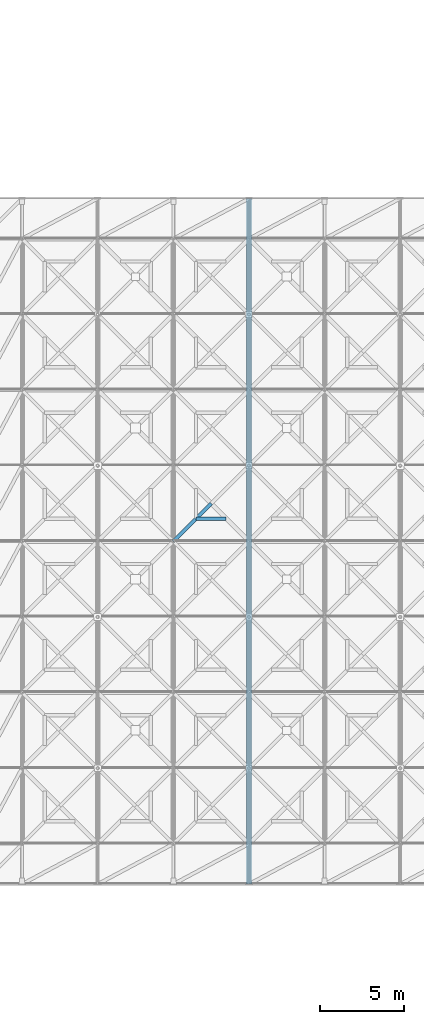
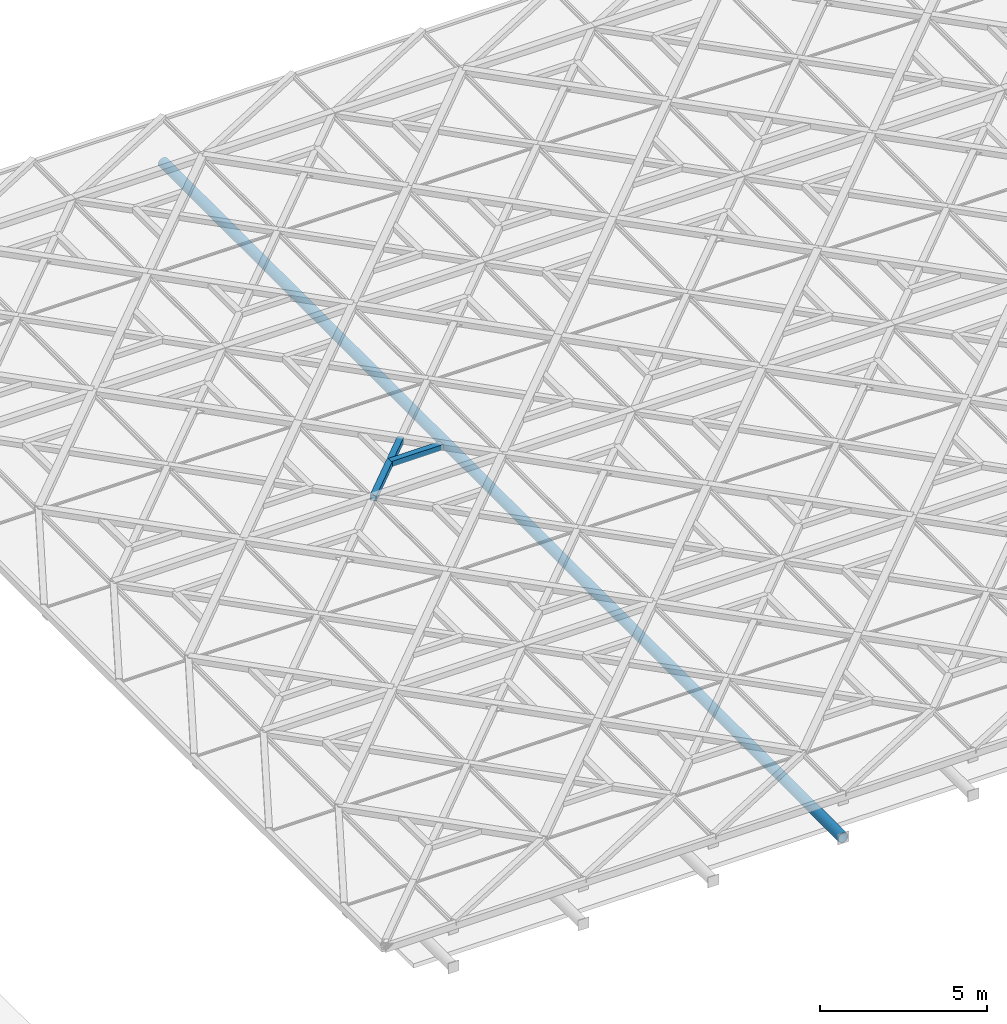
# One storey, part 26 of 80: 3 members.
"""IFC4 building model written with IfcOpenShell, lengths in metres."""

import ifcopenshell
import ifcopenshell.guid

model = None  # the IFC model being written
_history = None  # IfcOwnerHistory: only IFC2X3 demands one
_inside = {}  # id of a spatial element -> (the spatial element, [elements in it])
_under = {}  # id of a project, library or spatial element -> (it, [spatial elements below it])
_declared = {}  # id of a project -> (the project, [libraries it declares])
_typed = {}  # id of a type object -> (the type object, [elements of that type])
_made_of = {}  # id of a material, layer set ... -> (it, [elements and type objects made of it])


def new_model(schema):
    """Start an empty IFC model of exactly this schema.

    Asked for "IFC4X3", IfcOpenShell would pick the latest addendum, in which some entities
    have other attributes; the version numbers below select the first issue.
    IFC2X3 requires an IfcOwnerHistory on every rooted entity: one is made here for all.
    """
    global model, _history
    if schema == "IFC4X3":
        model = ifcopenshell.file(schema_version=(4, 3, 0, 0))
    else:
        model = ifcopenshell.file(schema=schema)
    _inside.clear()
    _under.clear()
    _declared.clear()
    _typed.clear()
    _made_of.clear()
    _history = None
    if model.schema == "IFC2X3":
        org = make("IfcOrganization", Name="unknown")
        user = make(
            "IfcPersonAndOrganization",
            ThePerson=make("IfcPerson", FamilyName="unknown"),
            TheOrganization=org,
        )
        app = make(
            "IfcApplication",
            ApplicationDeveloper=org,
            Version="unknown",
            ApplicationFullName="unknown",
            ApplicationIdentifier="unknown",
        )
        _history = make(
            "IfcOwnerHistory",
            OwningUser=user,
            OwningApplication=app,
            ChangeAction="ADDED",
            CreationDate=0,
        )
    return model


def make(cls, **values):
    """One entity of the class cls with the attributes given. An attribute that is None is left unset."""
    return model.create_entity(
        cls, **{name: value for name, value in values.items() if value is not None}
    )


def rooted(cls, **values):
    """An entity with a GlobalId (a new one), such as an element, a storey or a relation."""
    return make(cls, GlobalId=ifcopenshell.guid.new(), OwnerHistory=_history, **values)


def si_unit(unit_type, name, prefix=None):
    """IfcSIUnit, for example si_unit("LENGTHUNIT", "METRE", prefix="MILLI")."""
    return make("IfcSIUnit", UnitType=unit_type, Prefix=prefix, Name=name)


def assignment(units):
    """IfcUnitAssignment: the units of a project."""
    return None if units is None else make("IfcUnitAssignment", Units=units)


def point(xyz):
    """IfcCartesianPoint."""
    return None if xyz is None else make("IfcCartesianPoint", Coordinates=xyz)


def direction(xyz):
    """IfcDirection."""
    return None if xyz is None else make("IfcDirection", DirectionRatios=xyz)


def frame(location, z_axis=None, x_axis=None):
    """IfcAxis2Placement3D, a coordinate frame: its origin and axes. An axis left out is left unset."""
    return make(
        "IfcAxis2Placement3D",
        Location=point(location),
        Axis=direction(z_axis),
        RefDirection=direction(x_axis),
    )


def frame_2d(location, x_axis=None):
    """IfcAxis2Placement2D, a coordinate frame in the plane: its origin and x axis."""
    return make(
        "IfcAxis2Placement2D", Location=point(location), RefDirection=direction(x_axis)
    )


def origin():
    """The frame at (0, 0, 0) with its axes left unset."""
    return frame((0.0, 0.0, 0.0))


def origin_2d():
    """The frame at (0, 0) in the plane with its x axis left unset."""
    return frame_2d((0.0, 0.0))


def place(relative_to, where):
    """IfcLocalPlacement: puts the frame where relative to a parent placement (None: the world)."""
    return make(
        "IfcLocalPlacement", PlacementRelTo=relative_to, RelativePlacement=where
    )


def context(
    kind, dimensions, precision=None, world=None, true_north=None, identifier=None
):
    """IfcGeometricRepresentationContext, for example the 3D "Model" context."""
    return make(
        "IfcGeometricRepresentationContext",
        ContextIdentifier=identifier,
        ContextType=kind,
        CoordinateSpaceDimension=dimensions,
        Precision=precision,
        WorldCoordinateSystem=world,
        TrueNorth=true_north,
    )


def subcontext(parent, identifier, kind, view, scale=None):
    """IfcGeometricRepresentationSubContext, for example "Body" below "Model"."""
    return make(
        "IfcGeometricRepresentationSubContext",
        ContextIdentifier=identifier,
        ContextType=kind,
        ParentContext=parent,
        TargetScale=scale,
        TargetView=view,
    )


def project(units=None, contexts=None):
    """IfcProject with its units and contexts."""
    return rooted(
        "IfcProject",
        Name="project",
        RepresentationContexts=contexts,
        UnitsInContext=assignment(units),
    )


def spatial(cls, under=None, at=None, **own):
    """A site, building, storey or space (cls), placed at a placement, below another one or the project."""
    s = rooted(cls, ObjectPlacement=at, **own)
    if under is not None:
        _under.setdefault(under.id(), (under, []))[1].append(s)
    return s


def profile(cls, at=None, kind="AREA", **sizes):
    """A parametric profile (cls). Its sizes go by their IFC names, for example OverallWidth=200.0."""
    return make(cls, ProfileType=kind, Position=at, **sizes)


def hollow_rectangle(**sizes):
    """IfcRectangleHollowProfileDef."""
    return profile("IfcRectangleHollowProfileDef", **sizes)


def hollow_circle(**sizes):
    """IfcCircleHollowProfileDef."""
    return profile("IfcCircleHollowProfileDef", **sizes)


def extrude(swept, where, along, depth):
    """IfcExtrudedAreaSolid: the profile swept, set in the frame where, extruded along a direction by depth."""
    return make(
        "IfcExtrudedAreaSolid",
        SweptArea=swept,
        Position=where,
        ExtrudedDirection=direction(along),
        Depth=depth,
    )


def shape(context_of_items, identifier, shape_type, items):
    """IfcShapeRepresentation: the items that make up one representation, for example the "Body"."""
    return make(
        "IfcShapeRepresentation",
        ContextOfItems=context_of_items,
        RepresentationIdentifier=identifier,
        RepresentationType=shape_type,
        Items=items,
    )


def material(Name=None, Category=None):
    """IfcMaterial."""
    return make("IfcMaterial", Name=Name, Category=Category)


def material_profile(
    of_material, cross_section, Name=None, Category=None, Priority=None
):
    """IfcMaterialProfile: a cross section and its material."""
    return make(
        "IfcMaterialProfile",
        Name=Name,
        Material=of_material,
        Profile=cross_section,
        Priority=Priority,
        Category=Category,
    )


def profile_set(profiles, Name=None, composite=None):
    """IfcMaterialProfileSet."""
    return make(
        "IfcMaterialProfileSet",
        Name=Name,
        MaterialProfiles=profiles,
        CompositeProfile=composite,
    )


def made_of(thing, what):
    """Note that an element or type object is made of a material, layer set ...; save() writes the relation."""
    if what is not None:
        _made_of.setdefault(what.id(), (what, []))[1].append(thing)
    return thing


def type_object(cls, material=None, **own):
    """A type object (cls), such as IfcWallType, which elements share."""
    return made_of(rooted(cls, **own), material)


def element(
    cls,
    number,
    at=None,
    inside=None,
    cuts=None,
    type_object=None,
    material=None,
    context=None,
    identifier="Body",
    shape_type=None,
    held_by="IfcProductDefinitionShape",
    body=None,
    shapes=None,
    **own,
):
    """One element of the class cls, such as IfcWall. Its Tag is "e" and its number.

    at: its placement. inside: the storey or other place that contains it. cuts: it is an
    opening in that element (IfcRelVoidsElement). A single representation is given by context,
    identifier, shape_type and body (its items); several are given by shapes. held_by: the class
    of the entity that holds the representations. save() writes the other relations.
    """
    e = rooted(cls, Tag="e%d" % number, ObjectPlacement=at, **own)
    if body is not None:
        shapes = [shape(context, identifier, shape_type, body)]
    if shapes is not None:
        e.Representation = make(held_by, Representations=shapes)
    if inside is not None:
        _inside.setdefault(inside.id(), (inside, []))[1].append(e)
    if cuts is not None:
        rooted(
            "IfcRelVoidsElement", RelatingBuildingElement=cuts, RelatedOpeningElement=e
        )
    if type_object is not None:
        _typed.setdefault(type_object.id(), (type_object, []))[1].append(e)
    return made_of(e, material)


def aggregate(whole, parts):
    """IfcRelAggregates: a whole, such as a stair, and the parts it consists of."""
    return rooted("IfcRelAggregates", RelatingObject=whole, RelatedObjects=parts)


def save(model, path):
    """Write the relations noted so far, then the file.

    IfcRelAggregates (storeys below a building ...), IfcRelContainedInSpatialStructure (elements
    in a storey), IfcRelDefinesByType, IfcRelAssociatesMaterial and IfcRelDeclares: one each for
    every whole, place, type object, material and project.
    """
    for whole, parts in _under.values():
        aggregate(whole, parts)
    for where, things in _inside.values():
        rooted(
            "IfcRelContainedInSpatialStructure",
            RelatedElements=things,
            RelatingStructure=where,
        )
    for kind, things in _typed.values():
        rooted("IfcRelDefinesByType", RelatedObjects=things, RelatingType=kind)
    for what, things in _made_of.values():
        rooted("IfcRelAssociatesMaterial", RelatedObjects=things, RelatingMaterial=what)
    for by, libraries in _declared.values():
        rooted("IfcRelDeclares", RelatingContext=by, RelatedDefinitions=libraries)
    model.write(path)


model = new_model("IFC4")

# Units and contexts
model_context = context("Model", 3, precision=1e-05, world=origin(), true_north=direction((0.0, 1.0)))
body_context = subcontext(model_context, "Body", "Model", "MODEL_VIEW")
ifc_project = project(units=[si_unit("LENGTHUNIT", "METRE"), si_unit("AREAUNIT", "SQUARE_METRE"), si_unit("VOLUMEUNIT", "CUBIC_METRE"), si_unit("PLANEANGLEUNIT", "RADIAN"), si_unit("MASSUNIT", "GRAM", prefix="KILO"), si_unit("THERMODYNAMICTEMPERATUREUNIT", "KELVIN"), si_unit("POWERUNIT", "WATT")], contexts=[model_context])

# Site, building, storey
site_placement = place(None, origin())
site = spatial("IfcSite", under=ifc_project, at=site_placement, CompositionType="ELEMENT")
building_placement = place(site_placement, origin())
building = spatial("IfcBuilding", under=site, at=building_placement, Name="Tallowbark Science Centre", CompositionType="ELEMENT")
storey_placement = place(building_placement, frame((0.0, 0.0, 25.949951171875)))
storey = spatial("IfcBuildingStorey", under=building, at=storey_placement, Name="ROOF", CompositionType="ELEMENT", Elevation=25.949951171875)

# Members
ifc_material = material(Name="White Architectural Painted Steel Grade C350L0 (350 MPa)", Category="steel")
ifc_material_profile_1 = material_profile(ifc_material, hollow_rectangle(XDim=0.199951171875, YDim=0.199951171875, WallThickness=0.009033203125, at=origin_2d()), Name="200x200x9.0SHS")
ifc_profile_set_1 = profile_set([ifc_material_profile_1], Name="White Architectural Painted Steel Grade C350L0 (350 MPa)")
member_type_1 = type_object("IfcMemberType", Name="SCR-STAR139", PredefinedType="BRACE", material=ifc_profile_set_1)
member_1_placement = place(storey_placement, frame((67.5, 22.5, 0.449951171875), z_axis=(0.707106781187, 0.707106781187, 0.0), x_axis=(-0.707106781187, 0.707106781187, 0.0)))
element("IfcMember", 1, at=member_1_placement, inside=storey, type_object=member_type_1, Name="Star Screen Continuous X-Diagonal D1A TOP-60", PredefinedType="BRACE", context=body_context, shape_type="SweptSolid", body=[
    extrude(hollow_rectangle(XDim=0.199951171875, YDim=0.199951171875, WallThickness=0.009033203125, at=origin_2d()), origin(), (0.0, 0.0, 1.0), 3.181884765625),
])
ifc_material_profile_2 = material_profile(ifc_material, hollow_rectangle(XDim=0.199951171875, YDim=0.199951171875, WallThickness=0.009033203125, at=origin_2d()), Name="200x200x9.0SHS")
ifc_profile_set_2 = profile_set([ifc_material_profile_2], Name="White Architectural Painted Steel Grade C350L0 (350 MPa)")
member_type_2 = type_object("IfcMemberType", Name="SCR-SUB150", PredefinedType="BRACE", material=ifc_profile_set_2)
member_2_placement = place(storey_placement, frame((68.85009765625, 23.85009765625, 0.449951171875), z_axis=(1.0, 0.0, 0.0), x_axis=(0.0, 1.0, 0.0)))
element("IfcMember", 2, at=member_2_placement, inside=storey, type_object=member_type_2, Name="Star Screen Octagram Point Ray TOP-60-1", PredefinedType="BRACE", context=body_context, shape_type="SweptSolid", body=[
    extrude(hollow_rectangle(XDim=0.199951171875, YDim=0.199951171875, WallThickness=0.009033203125, at=origin_2d()), origin(), (0.0, 0.0, 1.0), 1.7998046875),
])
ifc_material_profile_3 = material_profile(ifc_material, hollow_circle(Radius=0.177734375, WallThickness=0.0126953125, at=origin_2d()), Name="355.6x12.7CHS")
ifc_profile_set_3 = profile_set([ifc_material_profile_3], Name="White Architectural Painted Steel Grade C350L0 (350 MPa)")
member_type_3 = type_object("IfcMemberType", Name="TR-CHD355", PredefinedType="CHORD", material=ifc_profile_set_3)
member_3_placement = place(storey_placement, frame((72.0, 2.10009765625, -1.199951171875), z_axis=(0.0, 1.0, 0.0), x_axis=(-1.0, 0.0, 0.0)))
element("IfcMember", 3, at=member_3_placement, inside=storey, type_object=member_type_3, Name="Exhibition Roof Truss Bottom Chord 4", PredefinedType="CHORD", context=body_context, shape_type="SweptSolid", body=[
    extrude(hollow_circle(Radius=0.177734375, WallThickness=0.0126953125, at=origin_2d()), origin(), (0.0, 0.0, 1.0), 40.7998046875),
])

save(model, "model.ifc")
